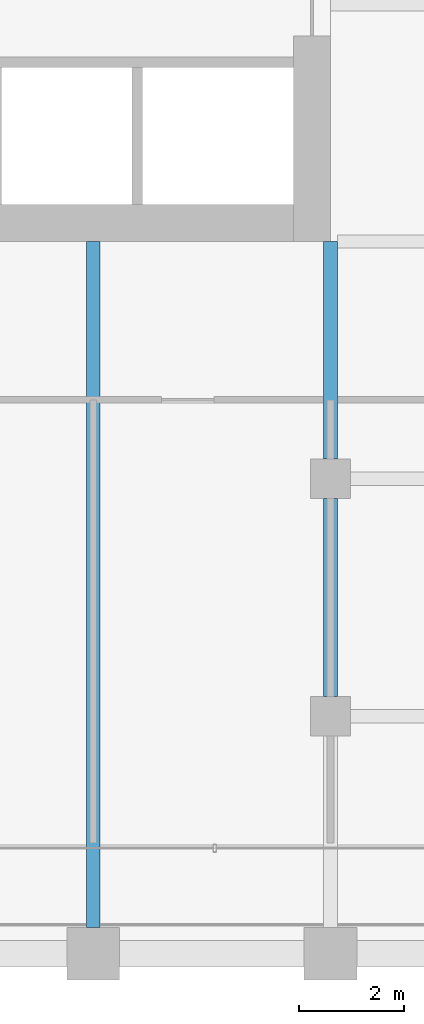
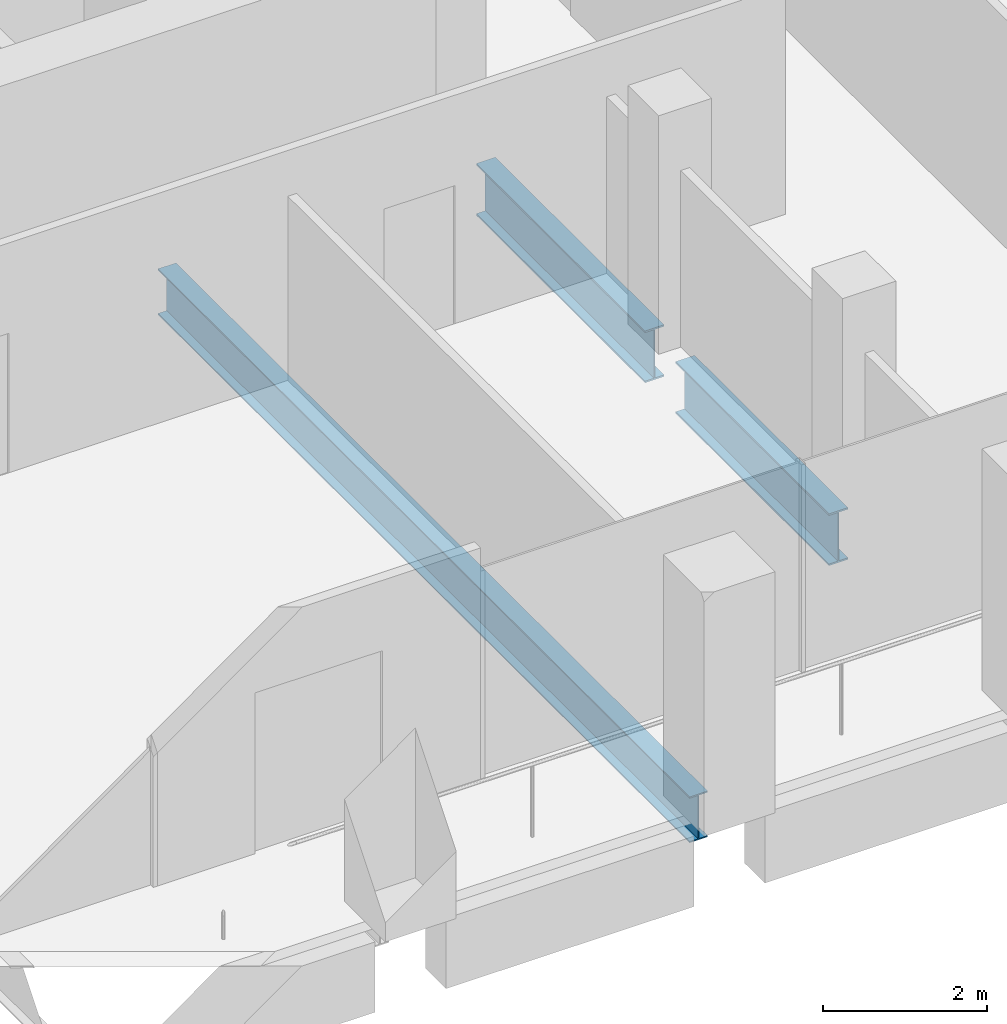
# One storey, part 10 of 46: 3 beams.
"""IFC4 building model written with IfcOpenShell, lengths in metres."""

from ifc_helpers import new_model, si_unit, direction, frame, origin, origin_2d, place, context, subcontext, project, spatial, i_section, extrude, material, material_profile, profile_set, type_object, element, save


model = new_model("IFC4")

# Units and contexts
model_context = context("Model", 3, precision=1e-05, world=origin(), true_north=direction((0.0, 1.0)))
body_context = subcontext(model_context, "Body", "Model", "MODEL_VIEW")
ifc_project = project(units=[si_unit("LENGTHUNIT", "METRE"), si_unit("AREAUNIT", "SQUARE_METRE"), si_unit("VOLUMEUNIT", "CUBIC_METRE"), si_unit("PLANEANGLEUNIT", "RADIAN"), si_unit("MASSUNIT", "GRAM", prefix="KILO")], contexts=[model_context])

# Site, building, storey
site_placement = place(None, origin())
site = spatial("IfcSite", under=ifc_project, at=site_placement, CompositionType="ELEMENT")
building_placement = place(site_placement, origin())
building = spatial("IfcBuilding", under=site, at=building_placement, Name="Altepetl Exchange Towers", CompositionType="ELEMENT")
storey_placement = place(building_placement, frame((0.0, 0.0, 102.800048828125)))
storey = spatial("IfcBuildingStorey", under=building, at=storey_placement, Name="L25", CompositionType="ELEMENT", Elevation=102.800048828125)

# Beams
ifc_material = material(Name="Steel S355", Category="steel")
ifc_material_profile_1 = material_profile(ifc_material, i_section(OverallWidth=0.25390625, OverallDepth=0.68408203125, WebThickness=0.012451171875, FlangeThickness=0.018798828125, at=origin_2d()), Name="W27X94")
ifc_profile_set_1 = profile_set([ifc_material_profile_1], Name="Steel S355")
beam_type_1 = type_object("IfcBeamType", Name="Floor beam W27X94", PredefinedType="BEAM", material=ifc_profile_set_1)
beam_1_placement = place(storey_placement, frame((54.0, 27.5, -0.491943359375), z_axis=(0.0, 1.0, 0.0), x_axis=(-1.0, 0.0, 0.0)))
element("IfcBeam", 1, at=beam_1_placement, inside=storey, type_object=beam_type_1, Name="bm:A:L25:017", PredefinedType="BEAM", context=body_context, shape_type="SweptSolid", body=[
    extrude(i_section(OverallWidth=0.25390625, OverallDepth=0.68408203125, WebThickness=0.012451171875, FlangeThickness=0.018798828125, at=origin_2d()), origin(), (0.0, 0.0, 1.0), 13.0),
])
ifc_material_profile_2 = material_profile(ifc_material, i_section(OverallWidth=0.26806640625, OverallDepth=0.77392578125, WebThickness=0.015380859375, FlangeThickness=0.025390625, at=origin_2d()), Name="W30X132")
ifc_profile_set_2 = profile_set([ifc_material_profile_2], Name="Steel S355")
beam_type_2 = type_object("IfcBeamType", Name="Girder W30X132", PredefinedType="BEAM", material=ifc_profile_set_2)
beam_2_placement = place(storey_placement, frame((58.5, 40.5, -0.537109375), z_axis=(0.0, -1.0, 0.0), x_axis=(1.0, 0.0, 0.0)))
element("IfcBeam", 2, at=beam_2_placement, inside=storey, type_object=beam_type_2, Name="gd:A:L25:003", PredefinedType="BEAM", context=body_context, shape_type="SweptSolid", body=[
    extrude(i_section(OverallWidth=0.26806640625, OverallDepth=0.77392578125, WebThickness=0.015380859375, FlangeThickness=0.025390625, at=origin_2d()), origin(), (0.0, 0.0, 1.0), 4.125),
])
beam_3_placement = place(storey_placement, frame((58.5, 35.625, -0.537109375), z_axis=(0.0, -1.0, 0.0), x_axis=(1.0, 0.0, 0.0)))
element("IfcBeam", 3, at=beam_3_placement, inside=storey, type_object=beam_type_2, Name="gd:A:L25:004", PredefinedType="BEAM", context=body_context, shape_type="SweptSolid", body=[
    extrude(i_section(OverallWidth=0.26806640625, OverallDepth=0.77392578125, WebThickness=0.015380859375, FlangeThickness=0.025390625, at=origin_2d()), origin(), (0.0, 0.0, 1.0), 3.75),
])

save(model, "model.ifc")
